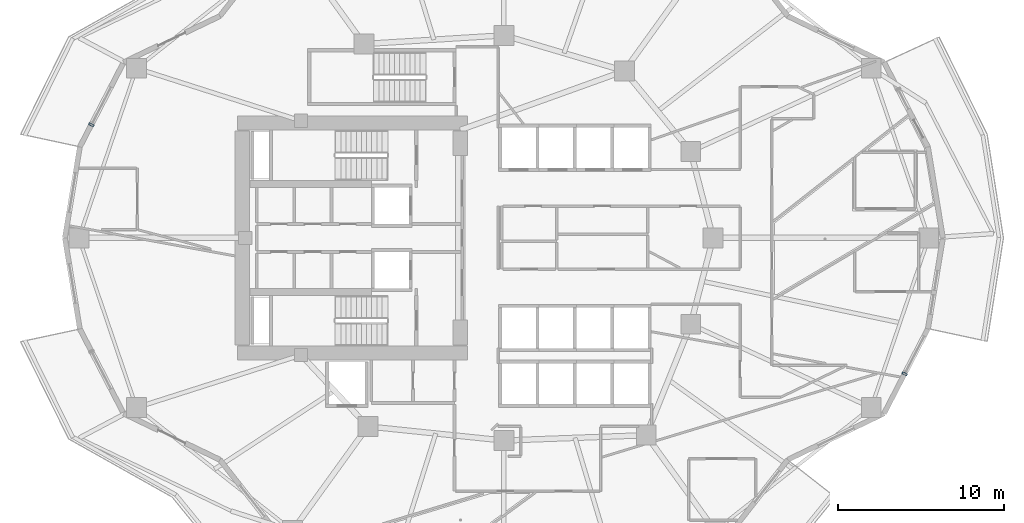
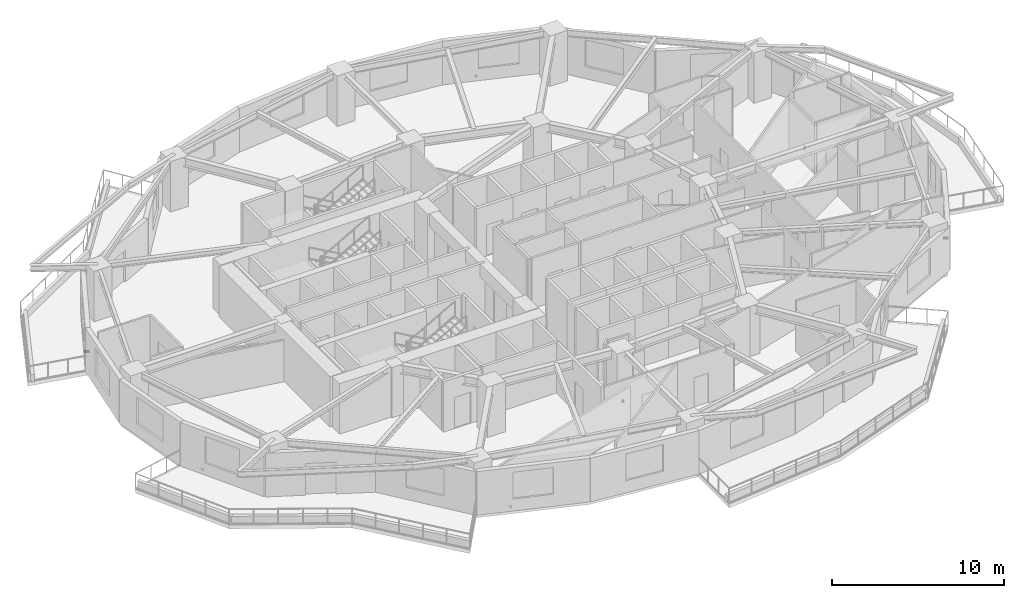
# One storey, part 9 of 15: 2 discrete accessories.
"""IFC4 building model written with IfcOpenShell, lengths in metres."""

from ifc_helpers import new_model, si_unit, direction, frame, origin, origin_2d, place, context, subcontext, project, spatial, rectangle, extrude, material, type_object, element, save


model = new_model("IFC4")

# Units and contexts
model_context = context("Model", 3, precision=1e-05, world=origin(), true_north=direction((0.0, 1.0)))
body_context = subcontext(model_context, "Body", "Model", "MODEL_VIEW")
ifc_project = project(units=[si_unit("LENGTHUNIT", "METRE"), si_unit("AREAUNIT", "SQUARE_METRE"), si_unit("VOLUMEUNIT", "CUBIC_METRE"), si_unit("PLANEANGLEUNIT", "RADIAN"), si_unit("MASSUNIT", "GRAM", prefix="KILO")], contexts=[model_context])

# Site, building, storey
site_placement = place(None, origin())
site = spatial("IfcSite", under=ifc_project, at=site_placement, CompositionType="ELEMENT")
building_placement = place(site_placement, origin())
building = spatial("IfcBuilding", under=site, at=building_placement, Name="Kolvaren Gate Tower and Convention Centre", CompositionType="ELEMENT")
storey_placement = place(building_placement, frame((0.0, 0.0, 72.699951171875)))
storey = spatial("IfcBuildingStorey", under=building, at=storey_placement, Name="L17", CompositionType="ELEMENT", Elevation=72.699951171875)

# Discrete accessories
ifc_material = material(Name="Anodized Architectural Aluminium Alloy 6063-T6", Category="aluminium")
discrete_accessory_type = type_object("IfcDiscreteAccessoryType", Name="ARCH-ACC-BRACKET-120", PredefinedType="BRACKET", material=ifc_material)
for number, where, z_axis, x_axis, name in (
    (1, (5.283447265625, 33.816650390625, 0.2900390625), (0.0, 0.0, 1.0), (0.45980150925, 0.888021718254, 0.0), "Ceramic Fin Wall Anchor Bracket FBK-L17-10"),
    (2, (54.25732421875, 18.813720703125, 0.2900390625), (0.0, 0.0, 1.0), (0.45980150925, 0.888021718254, 0.0), "Ceramic Fin Wall Anchor Bracket FBK-L17-22"),
):
    element("IfcDiscreteAccessory", number, at=place(storey_placement, frame(where, z_axis=z_axis, x_axis=x_axis)), inside=storey, type_object=discrete_accessory_type, Name=name, PredefinedType="BRACKET", context=body_context, shape_type="SweptSolid", body=[
        extrude(rectangle(XDim=0.1201171875, YDim=0.320068359375, at=origin_2d()), origin(), (0.0, 0.0, 1.0), 0.1201171875),
    ])

save(model, "model.ifc")
